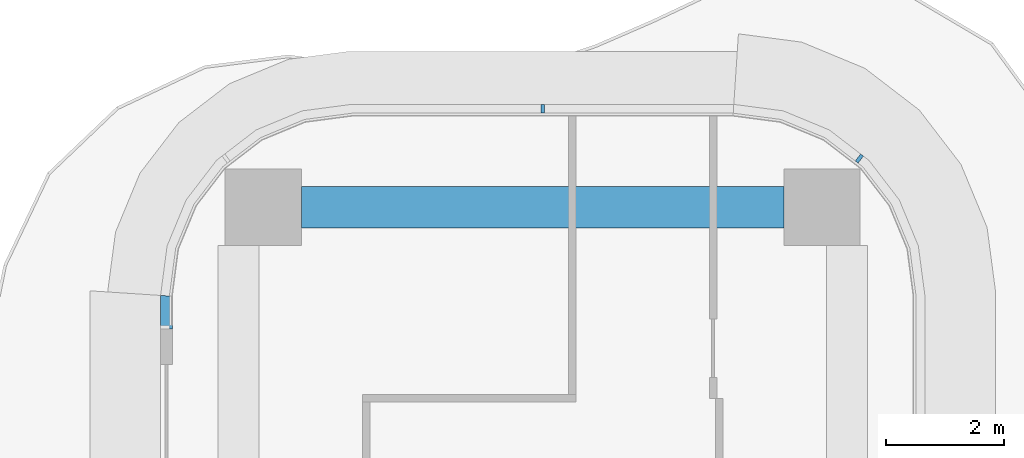
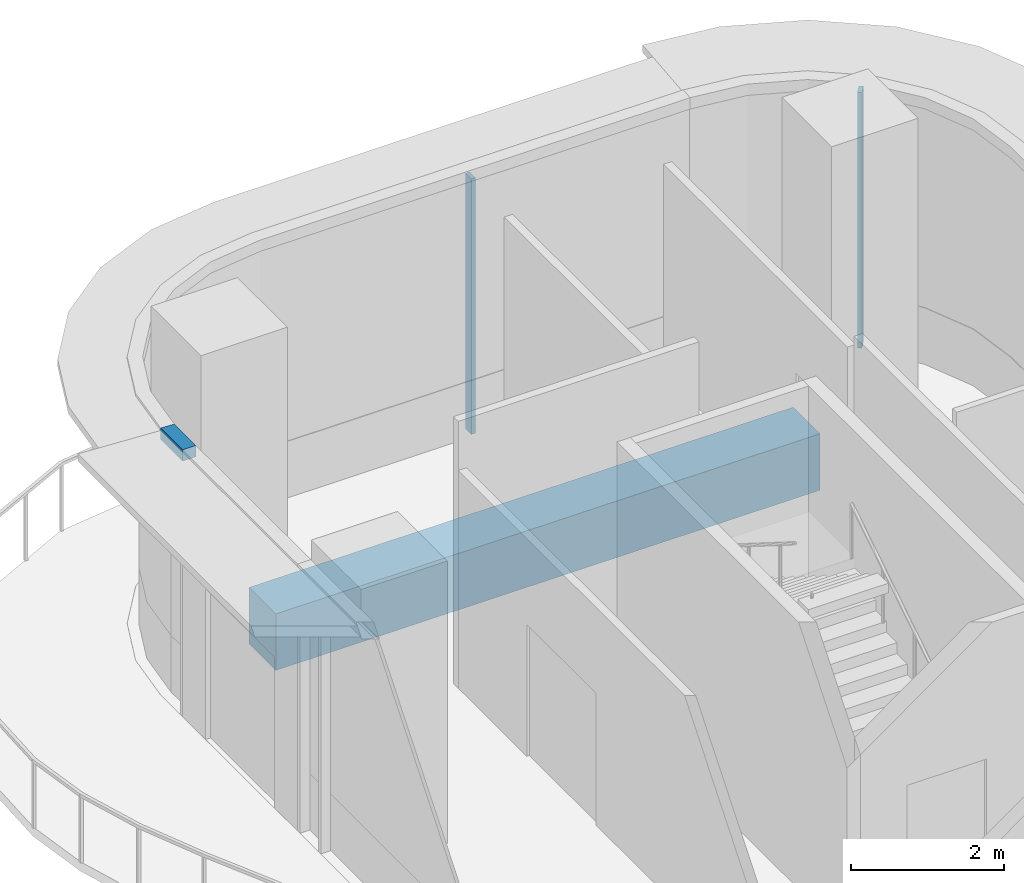
# One storey, part 12 of 22: 3 members, 1 beam, 3 elements without a shape of their own.
"""IFC4 building model written with IfcOpenShell, lengths in metres."""

import ifcopenshell
import ifcopenshell.guid

model = None  # the IFC model being written
_history = None  # IfcOwnerHistory: only IFC2X3 demands one
_inside = {}  # id of a spatial element -> (the spatial element, [elements in it])
_under = {}  # id of a project, library or spatial element -> (it, [spatial elements below it])
_declared = {}  # id of a project -> (the project, [libraries it declares])
_typed = {}  # id of a type object -> (the type object, [elements of that type])
_made_of = {}  # id of a material, layer set ... -> (it, [elements and type objects made of it])


def new_model(schema):
    """Start an empty IFC model of exactly this schema.

    Asked for "IFC4X3", IfcOpenShell would pick the latest addendum, in which some entities
    have other attributes; the version numbers below select the first issue.
    IFC2X3 requires an IfcOwnerHistory on every rooted entity: one is made here for all.
    """
    global model, _history
    if schema == "IFC4X3":
        model = ifcopenshell.file(schema_version=(4, 3, 0, 0))
    else:
        model = ifcopenshell.file(schema=schema)
    _inside.clear()
    _under.clear()
    _declared.clear()
    _typed.clear()
    _made_of.clear()
    _history = None
    if model.schema == "IFC2X3":
        org = make("IfcOrganization", Name="unknown")
        user = make(
            "IfcPersonAndOrganization",
            ThePerson=make("IfcPerson", FamilyName="unknown"),
            TheOrganization=org,
        )
        app = make(
            "IfcApplication",
            ApplicationDeveloper=org,
            Version="unknown",
            ApplicationFullName="unknown",
            ApplicationIdentifier="unknown",
        )
        _history = make(
            "IfcOwnerHistory",
            OwningUser=user,
            OwningApplication=app,
            ChangeAction="ADDED",
            CreationDate=0,
        )
    return model


def make(cls, **values):
    """One entity of the class cls with the attributes given. An attribute that is None is left unset."""
    return model.create_entity(
        cls, **{name: value for name, value in values.items() if value is not None}
    )


def rooted(cls, **values):
    """An entity with a GlobalId (a new one), such as an element, a storey or a relation."""
    return make(cls, GlobalId=ifcopenshell.guid.new(), OwnerHistory=_history, **values)


def si_unit(unit_type, name, prefix=None):
    """IfcSIUnit, for example si_unit("LENGTHUNIT", "METRE", prefix="MILLI")."""
    return make("IfcSIUnit", UnitType=unit_type, Prefix=prefix, Name=name)


def assignment(units):
    """IfcUnitAssignment: the units of a project."""
    return None if units is None else make("IfcUnitAssignment", Units=units)


def point(xyz):
    """IfcCartesianPoint."""
    return None if xyz is None else make("IfcCartesianPoint", Coordinates=xyz)


def direction(xyz):
    """IfcDirection."""
    return None if xyz is None else make("IfcDirection", DirectionRatios=xyz)


def frame(location, z_axis=None, x_axis=None):
    """IfcAxis2Placement3D, a coordinate frame: its origin and axes. An axis left out is left unset."""
    return make(
        "IfcAxis2Placement3D",
        Location=point(location),
        Axis=direction(z_axis),
        RefDirection=direction(x_axis),
    )


def frame_2d(location, x_axis=None):
    """IfcAxis2Placement2D, a coordinate frame in the plane: its origin and x axis."""
    return make(
        "IfcAxis2Placement2D", Location=point(location), RefDirection=direction(x_axis)
    )


def origin():
    """The frame at (0, 0, 0) with its axes left unset."""
    return frame((0.0, 0.0, 0.0))


def origin_2d():
    """The frame at (0, 0) in the plane with its x axis left unset."""
    return frame_2d((0.0, 0.0))


def place(relative_to, where):
    """IfcLocalPlacement: puts the frame where relative to a parent placement (None: the world)."""
    return make(
        "IfcLocalPlacement", PlacementRelTo=relative_to, RelativePlacement=where
    )


def context(
    kind, dimensions, precision=None, world=None, true_north=None, identifier=None
):
    """IfcGeometricRepresentationContext, for example the 3D "Model" context."""
    return make(
        "IfcGeometricRepresentationContext",
        ContextIdentifier=identifier,
        ContextType=kind,
        CoordinateSpaceDimension=dimensions,
        Precision=precision,
        WorldCoordinateSystem=world,
        TrueNorth=true_north,
    )


def subcontext(parent, identifier, kind, view, scale=None):
    """IfcGeometricRepresentationSubContext, for example "Body" below "Model"."""
    return make(
        "IfcGeometricRepresentationSubContext",
        ContextIdentifier=identifier,
        ContextType=kind,
        ParentContext=parent,
        TargetScale=scale,
        TargetView=view,
    )


def project(units=None, contexts=None):
    """IfcProject with its units and contexts."""
    return rooted(
        "IfcProject",
        Name="project",
        RepresentationContexts=contexts,
        UnitsInContext=assignment(units),
    )


def spatial(cls, under=None, at=None, **own):
    """A site, building, storey or space (cls), placed at a placement, below another one or the project."""
    s = rooted(cls, ObjectPlacement=at, **own)
    if under is not None:
        _under.setdefault(under.id(), (under, []))[1].append(s)
    return s


def polyline(points):
    """IfcPolyline through the points."""
    return make("IfcPolyline", Points=[point(p) for p in points])


def profile(cls, at=None, kind="AREA", **sizes):
    """A parametric profile (cls). Its sizes go by their IFC names, for example OverallWidth=200.0."""
    return make(cls, ProfileType=kind, Position=at, **sizes)


def rectangle(**sizes):
    """IfcRectangleProfileDef."""
    return profile("IfcRectangleProfileDef", **sizes)


def outline(outer, holes=None, kind="AREA"):
    """IfcArbitraryClosedProfileDef: a profile drawn as a closed curve; with holes, ...WithVoids."""
    if holes is None:
        return make("IfcArbitraryClosedProfileDef", ProfileType=kind, OuterCurve=outer)
    return make(
        "IfcArbitraryProfileDefWithVoids",
        ProfileType=kind,
        OuterCurve=outer,
        InnerCurves=holes,
    )


def extrude(swept, where, along, depth):
    """IfcExtrudedAreaSolid: the profile swept, set in the frame where, extruded along a direction by depth."""
    return make(
        "IfcExtrudedAreaSolid",
        SweptArea=swept,
        Position=where,
        ExtrudedDirection=direction(along),
        Depth=depth,
    )


def shape(context_of_items, identifier, shape_type, items):
    """IfcShapeRepresentation: the items that make up one representation, for example the "Body"."""
    return make(
        "IfcShapeRepresentation",
        ContextOfItems=context_of_items,
        RepresentationIdentifier=identifier,
        RepresentationType=shape_type,
        Items=items,
    )


def source(mapping_origin, context_of_items, identifier, shape_type, items):
    """IfcRepresentationMap: a shape defined once, which mapped items show again and again."""
    return make(
        "IfcRepresentationMap",
        MappingOrigin=mapping_origin,
        MappedRepresentation=shape(context_of_items, identifier, shape_type, items),
    )


def transform(
    local_origin,
    x_axis=None,
    y_axis=None,
    z_axis=None,
    scale=None,
    scale2=None,
    scale3=None,
    uniform=True,
):
    """IfcCartesianTransformationOperator3D, or its non-uniform kind. x_axis, y_axis, z_axis: its Axis1, 2, 3."""
    if uniform:
        return make(
            "IfcCartesianTransformationOperator3D",
            Axis1=direction(x_axis),
            Axis2=direction(y_axis),
            LocalOrigin=point(local_origin),
            Scale=scale,
            Axis3=direction(z_axis),
        )
    return make(
        "IfcCartesianTransformationOperator3DnonUniform",
        Axis1=direction(x_axis),
        Axis2=direction(y_axis),
        LocalOrigin=point(local_origin),
        Scale=scale,
        Axis3=direction(z_axis),
        Scale2=scale2,
        Scale3=scale3,
    )


def mapped(mapping_source, mapping_target):
    """IfcMappedItem: shows the shape of a source again, moved by a transform."""
    return make(
        "IfcMappedItem", MappingSource=mapping_source, MappingTarget=mapping_target
    )


def material(Name=None, Category=None):
    """IfcMaterial."""
    return make("IfcMaterial", Name=Name, Category=Category)


def layer(
    of_material, thickness, ventilated=None, Name=None, Category=None, Priority=None
):
    """IfcMaterialLayer: one layer of a wall or slab, of a material (None: an air gap)."""
    return make(
        "IfcMaterialLayer",
        Material=of_material,
        LayerThickness=thickness,
        IsVentilated=ventilated,
        Name=Name,
        Category=Category,
        Priority=Priority,
    )


def layer_set(layers, Name=None):
    """IfcMaterialLayerSet."""
    return make("IfcMaterialLayerSet", MaterialLayers=layers, LayerSetName=Name)


def material_profile(
    of_material, cross_section, Name=None, Category=None, Priority=None
):
    """IfcMaterialProfile: a cross section and its material."""
    return make(
        "IfcMaterialProfile",
        Name=Name,
        Material=of_material,
        Profile=cross_section,
        Priority=Priority,
        Category=Category,
    )


def profile_set(profiles, Name=None, composite=None):
    """IfcMaterialProfileSet."""
    return make(
        "IfcMaterialProfileSet",
        Name=Name,
        MaterialProfiles=profiles,
        CompositeProfile=composite,
    )


def made_of(thing, what):
    """Note that an element or type object is made of a material, layer set ...; save() writes the relation."""
    if what is not None:
        _made_of.setdefault(what.id(), (what, []))[1].append(thing)
    return thing


def type_object(cls, material=None, **own):
    """A type object (cls), such as IfcWallType, which elements share."""
    return made_of(rooted(cls, **own), material)


def element(
    cls,
    number,
    at=None,
    inside=None,
    cuts=None,
    type_object=None,
    material=None,
    context=None,
    identifier="Body",
    shape_type=None,
    held_by="IfcProductDefinitionShape",
    body=None,
    shapes=None,
    **own,
):
    """One element of the class cls, such as IfcWall. Its Tag is "e" and its number.

    at: its placement. inside: the storey or other place that contains it. cuts: it is an
    opening in that element (IfcRelVoidsElement). A single representation is given by context,
    identifier, shape_type and body (its items); several are given by shapes. held_by: the class
    of the entity that holds the representations. save() writes the other relations.
    """
    e = rooted(cls, Tag="e%d" % number, ObjectPlacement=at, **own)
    if body is not None:
        shapes = [shape(context, identifier, shape_type, body)]
    if shapes is not None:
        e.Representation = make(held_by, Representations=shapes)
    if inside is not None:
        _inside.setdefault(inside.id(), (inside, []))[1].append(e)
    if cuts is not None:
        rooted(
            "IfcRelVoidsElement", RelatingBuildingElement=cuts, RelatedOpeningElement=e
        )
    if type_object is not None:
        _typed.setdefault(type_object.id(), (type_object, []))[1].append(e)
    return made_of(e, material)


def aggregate(whole, parts):
    """IfcRelAggregates: a whole, such as a stair, and the parts it consists of."""
    return rooted("IfcRelAggregates", RelatingObject=whole, RelatedObjects=parts)


def save(model, path):
    """Write the relations noted so far, then the file.

    IfcRelAggregates (storeys below a building ...), IfcRelContainedInSpatialStructure (elements
    in a storey), IfcRelDefinesByType, IfcRelAssociatesMaterial and IfcRelDeclares: one each for
    every whole, place, type object, material and project.
    """
    for whole, parts in _under.values():
        aggregate(whole, parts)
    for where, things in _inside.values():
        rooted(
            "IfcRelContainedInSpatialStructure",
            RelatedElements=things,
            RelatingStructure=where,
        )
    for kind, things in _typed.values():
        rooted("IfcRelDefinesByType", RelatedObjects=things, RelatingType=kind)
    for what, things in _made_of.values():
        rooted("IfcRelAssociatesMaterial", RelatedObjects=things, RelatingMaterial=what)
    for by, libraries in _declared.values():
        rooted("IfcRelDeclares", RelatingContext=by, RelatedDefinitions=libraries)
    model.write(path)


model = new_model("IFC4")

# Units and contexts
model_context = context("Model", 3, precision=1e-05, world=origin(), true_north=direction((0.0, 1.0)))
body_context = subcontext(model_context, "Body", "Model", "MODEL_VIEW")
ifc_project = project(units=[si_unit("LENGTHUNIT", "METRE"), si_unit("AREAUNIT", "SQUARE_METRE"), si_unit("VOLUMEUNIT", "CUBIC_METRE"), si_unit("PLANEANGLEUNIT", "RADIAN"), si_unit("MASSUNIT", "GRAM", prefix="KILO")], contexts=[model_context])

# Site, building, storey
site_placement = place(None, origin())
site = spatial("IfcSite", under=ifc_project, at=site_placement, CompositionType="ELEMENT")
building_placement = place(site_placement, origin())
building = spatial("IfcBuilding", under=site, at=building_placement, Name="Trellis Farm Tower", CompositionType="ELEMENT")
storey_placement = place(building_placement, frame((0.0, 0.0, 124.5)))
storey = spatial("IfcBuildingStorey", under=building, at=storey_placement, Name="L26", CompositionType="ELEMENT", Elevation=124.5)

# Beam
ifc_material_1 = material(Name="Concrete C60/75", Category="concrete")
ifc_material_profile_1 = material_profile(ifc_material_1, rectangle(XDim=0.699951171875, YDim=0.89990234375, at=origin_2d()), Name="RC spandrel beam 700x900 C60/75")
ifc_profile_set_1 = profile_set([ifc_material_profile_1], Name="Concrete C60/75")
beam_type = type_object("IfcBeamType", Name="RC spandrel beam 700x900 C60/75", PredefinedType="SPANDREL", material=ifc_profile_set_1)
shared_shape_1 = source(origin(), body_context, "Body", "SweptSolid", [
    extrude(rectangle(XDim=0.699951171875, YDim=0.89990234375, at=origin_2d()), origin(), (0.0, 0.0, 1.0), 8.2001953125),
])
beam_placement = place(storey_placement, frame((-4.10009765625, 24.25, -0.699951171875), z_axis=(1.0, 0.0, 0.0), x_axis=(0.0, 1.0, 0.0)))
element("IfcBeam", 1, at=beam_placement, inside=storey, type_object=beam_type, Name="Girder", PredefinedType="SPANDREL", context=body_context, shape_type="MappedRepresentation", body=[
    mapped(shared_shape_1, transform((0.0, 0.0, 0.0))),
])

# Curtain wall, member
ifc_material_2 = material(Name="Aluminium and glass curtain wall", Category="aluminium")
ifc_layer_1 = layer(ifc_material_2, 0.18994140625)
ifc_layer_set_1 = layer_set([ifc_layer_1], Name="RIBBON CURTAIN WALL CW1")
curtain_wall_type = type_object("IfcCurtainWallType", Name="RIBBON CURTAIN WALL CW1", PredefinedType="NOTDEFINED", material=ifc_layer_set_1)
placement = place(storey_placement, origin())
curtain_wall_1 = element("IfcCurtainWall", 2, at=placement, inside=storey, type_object=curtain_wall_type, Name="CW1 009", PredefinedType="NOTDEFINED")
ifc_material_3 = material(Name="Aluminium extrusion 6063-T6", Category="aluminium")
ifc_material_profile_2 = material_profile(ifc_material_3, rectangle(XDim=0.06005859375, YDim=0.14990234375, at=origin_2d()), Name="MULLION 60x150")
ifc_profile_set_2 = profile_set([ifc_material_profile_2], Name="Aluminium extrusion 6063-T6")
member_type_1 = type_object("IfcMemberType", Name="CW1 MULLION 60x150", PredefinedType="MULLION", material=ifc_profile_set_2)
shared_shape_2 = source(origin(), body_context, "Body", "SweptSolid", [
    extrude(rectangle(XDim=0.06005859375, YDim=0.14990234375, at=origin_2d()), origin(), (0.0, 0.0, 1.0), 4.070068359375),
])
member_1_placement = place(storey_placement, frame((5.385498046875, 25.078369140625, 0.0), z_axis=(0.0, 0.0, 1.0), x_axis=(-0.793353340291, 0.608761429009, 0.0)))
member_1 = element("IfcMember", 3, at=member_1_placement, type_object=member_type_1, Name="MU1 009-03", PredefinedType="MULLION", context=body_context, shape_type="MappedRepresentation", body=[
    mapped(shared_shape_2, transform((0.0, 0.0, 0.0))),
])
aggregate(curtain_wall_1, [member_1])

curtain_wall_2 = element("IfcCurtainWall", 4, at=placement, inside=storey, type_object=curtain_wall_type, Name="CW1 010", PredefinedType="NOTDEFINED")
member_2_placement = place(storey_placement, frame((0.0, 25.925048828125, 0.0), z_axis=(0.0, 0.0, 1.0), x_axis=(-1.0, 0.0, 0.0)))
member_2 = element("IfcMember", 5, at=member_2_placement, type_object=member_type_1, Name="MU1 010-01", PredefinedType="MULLION", context=body_context, shape_type="MappedRepresentation", body=[
    mapped(shared_shape_2, transform((0.0, 0.0, 0.0))),
])
aggregate(curtain_wall_2, [member_2])

curtain_wall_3 = element("IfcCurtainWall", 6, at=placement, inside=storey, type_object=curtain_wall_type, Name="CW1 011", PredefinedType="NOTDEFINED")
ifc_layer_2 = layer(ifc_material_3, 0.199951171875)
ifc_layer_set_2 = layer_set([ifc_layer_2], Name="Aluminium extrusion 6063-T6")
member_type_2 = type_object("IfcMemberType", Name="CW1 TRANSOM 200x180", PredefinedType="USERDEFINED", material=ifc_layer_set_2)
shared_shape_3 = source(origin(), body_context, "Body", "SweptSolid", [
    extrude(outline(polyline([(-6.5, 22.75), (-6.5, 22.175048828125), (-6.300048828125, 22.175048828125), (-6.300048828125, 22.73681640625), (-6.5, 22.75)])), origin(), (0.0, 0.0, 1.0), 0.179931640625),
])
member_3_placement = place(storey_placement, frame((0.0, 0.0, 4.070068359375)))
member_3 = element("IfcMember", 7, at=member_3_placement, type_object=member_type_2, Name="TR1 011", ObjectType="TRANSOM", PredefinedType="USERDEFINED", context=body_context, shape_type="MappedRepresentation", body=[
    mapped(shared_shape_3, transform((0.0, 0.0, 0.0))),
])
aggregate(curtain_wall_3, [member_3])

save(model, "model.ifc")
